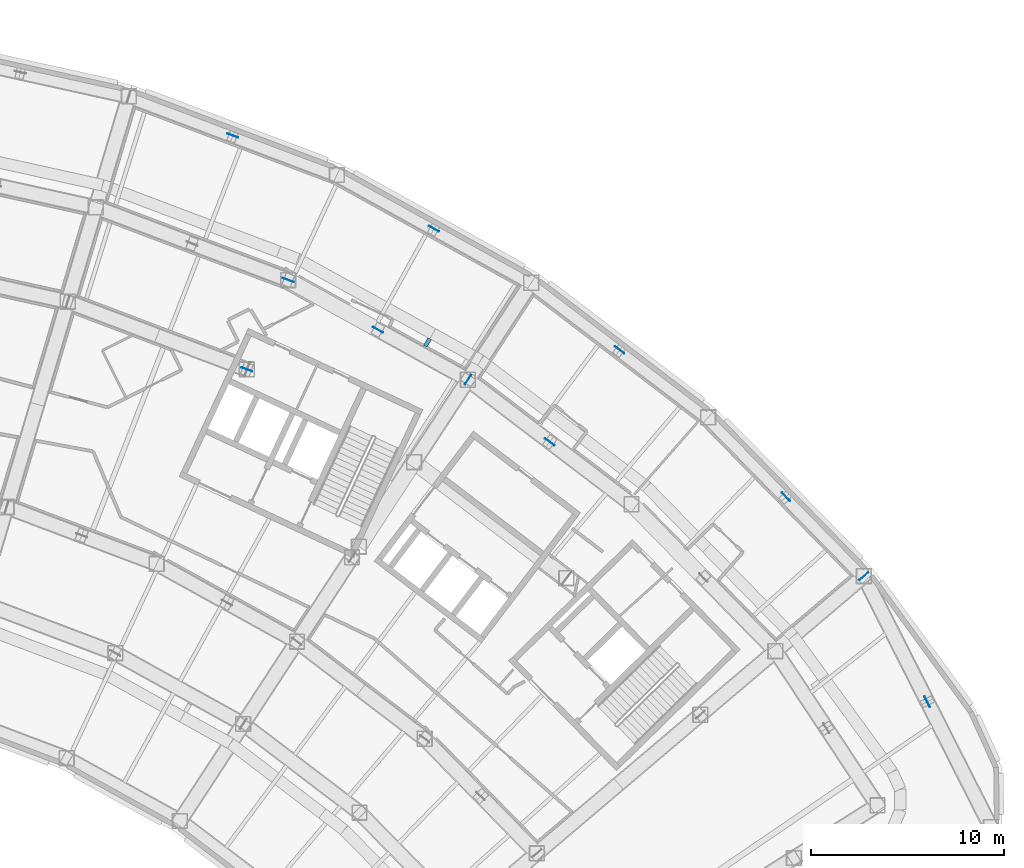
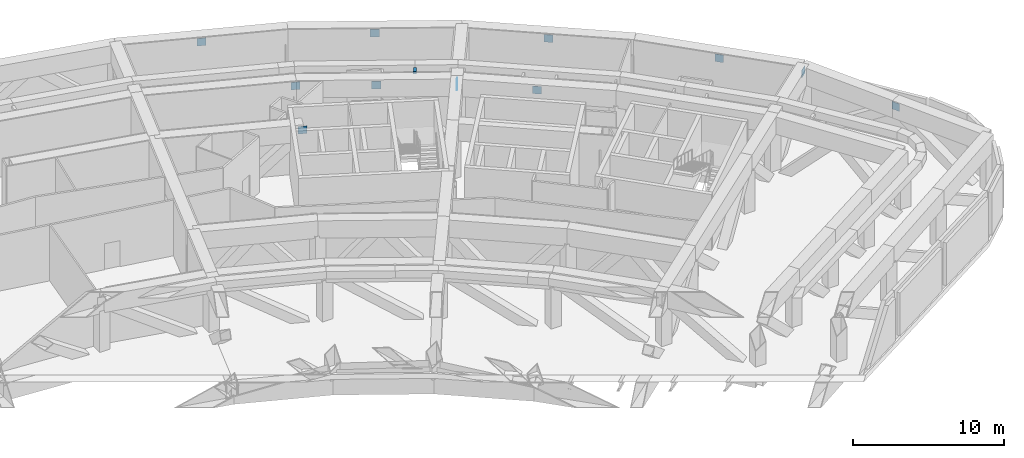
# One storey, part 26 of 30: 12 discrete accessories.
"""IFC4 building model written with IfcOpenShell, lengths in metres."""

import ifcopenshell
import ifcopenshell.guid

model = None  # the IFC model being written
_history = None  # IfcOwnerHistory: only IFC2X3 demands one
_inside = {}  # id of a spatial element -> (the spatial element, [elements in it])
_under = {}  # id of a project, library or spatial element -> (it, [spatial elements below it])
_declared = {}  # id of a project -> (the project, [libraries it declares])
_typed = {}  # id of a type object -> (the type object, [elements of that type])
_made_of = {}  # id of a material, layer set ... -> (it, [elements and type objects made of it])


def new_model(schema):
    """Start an empty IFC model of exactly this schema.

    Asked for "IFC4X3", IfcOpenShell would pick the latest addendum, in which some entities
    have other attributes; the version numbers below select the first issue.
    IFC2X3 requires an IfcOwnerHistory on every rooted entity: one is made here for all.
    """
    global model, _history
    if schema == "IFC4X3":
        model = ifcopenshell.file(schema_version=(4, 3, 0, 0))
    else:
        model = ifcopenshell.file(schema=schema)
    _inside.clear()
    _under.clear()
    _declared.clear()
    _typed.clear()
    _made_of.clear()
    _history = None
    if model.schema == "IFC2X3":
        org = make("IfcOrganization", Name="unknown")
        user = make(
            "IfcPersonAndOrganization",
            ThePerson=make("IfcPerson", FamilyName="unknown"),
            TheOrganization=org,
        )
        app = make(
            "IfcApplication",
            ApplicationDeveloper=org,
            Version="unknown",
            ApplicationFullName="unknown",
            ApplicationIdentifier="unknown",
        )
        _history = make(
            "IfcOwnerHistory",
            OwningUser=user,
            OwningApplication=app,
            ChangeAction="ADDED",
            CreationDate=0,
        )
    return model


def make(cls, **values):
    """One entity of the class cls with the attributes given. An attribute that is None is left unset."""
    return model.create_entity(
        cls, **{name: value for name, value in values.items() if value is not None}
    )


def rooted(cls, **values):
    """An entity with a GlobalId (a new one), such as an element, a storey or a relation."""
    return make(cls, GlobalId=ifcopenshell.guid.new(), OwnerHistory=_history, **values)


def si_unit(unit_type, name, prefix=None):
    """IfcSIUnit, for example si_unit("LENGTHUNIT", "METRE", prefix="MILLI")."""
    return make("IfcSIUnit", UnitType=unit_type, Prefix=prefix, Name=name)


def assignment(units):
    """IfcUnitAssignment: the units of a project."""
    return None if units is None else make("IfcUnitAssignment", Units=units)


def point(xyz):
    """IfcCartesianPoint."""
    return None if xyz is None else make("IfcCartesianPoint", Coordinates=xyz)


def direction(xyz):
    """IfcDirection."""
    return None if xyz is None else make("IfcDirection", DirectionRatios=xyz)


def frame(location, z_axis=None, x_axis=None):
    """IfcAxis2Placement3D, a coordinate frame: its origin and axes. An axis left out is left unset."""
    return make(
        "IfcAxis2Placement3D",
        Location=point(location),
        Axis=direction(z_axis),
        RefDirection=direction(x_axis),
    )


def frame_2d(location, x_axis=None):
    """IfcAxis2Placement2D, a coordinate frame in the plane: its origin and x axis."""
    return make(
        "IfcAxis2Placement2D", Location=point(location), RefDirection=direction(x_axis)
    )


def origin():
    """The frame at (0, 0, 0) with its axes left unset."""
    return frame((0.0, 0.0, 0.0))


def origin_2d():
    """The frame at (0, 0) in the plane with its x axis left unset."""
    return frame_2d((0.0, 0.0))


def place(relative_to, where):
    """IfcLocalPlacement: puts the frame where relative to a parent placement (None: the world)."""
    return make(
        "IfcLocalPlacement", PlacementRelTo=relative_to, RelativePlacement=where
    )


def context(
    kind, dimensions, precision=None, world=None, true_north=None, identifier=None
):
    """IfcGeometricRepresentationContext, for example the 3D "Model" context."""
    return make(
        "IfcGeometricRepresentationContext",
        ContextIdentifier=identifier,
        ContextType=kind,
        CoordinateSpaceDimension=dimensions,
        Precision=precision,
        WorldCoordinateSystem=world,
        TrueNorth=true_north,
    )


def subcontext(parent, identifier, kind, view, scale=None):
    """IfcGeometricRepresentationSubContext, for example "Body" below "Model"."""
    return make(
        "IfcGeometricRepresentationSubContext",
        ContextIdentifier=identifier,
        ContextType=kind,
        ParentContext=parent,
        TargetScale=scale,
        TargetView=view,
    )


def project(units=None, contexts=None):
    """IfcProject with its units and contexts."""
    return rooted(
        "IfcProject",
        Name="project",
        RepresentationContexts=contexts,
        UnitsInContext=assignment(units),
    )


def spatial(cls, under=None, at=None, **own):
    """A site, building, storey or space (cls), placed at a placement, below another one or the project."""
    s = rooted(cls, ObjectPlacement=at, **own)
    if under is not None:
        _under.setdefault(under.id(), (under, []))[1].append(s)
    return s


def profile(cls, at=None, kind="AREA", **sizes):
    """A parametric profile (cls). Its sizes go by their IFC names, for example OverallWidth=200.0."""
    return make(cls, ProfileType=kind, Position=at, **sizes)


def rectangle(**sizes):
    """IfcRectangleProfileDef."""
    return profile("IfcRectangleProfileDef", **sizes)


def extrude(swept, where, along, depth):
    """IfcExtrudedAreaSolid: the profile swept, set in the frame where, extruded along a direction by depth."""
    return make(
        "IfcExtrudedAreaSolid",
        SweptArea=swept,
        Position=where,
        ExtrudedDirection=direction(along),
        Depth=depth,
    )


def shape(context_of_items, identifier, shape_type, items):
    """IfcShapeRepresentation: the items that make up one representation, for example the "Body"."""
    return make(
        "IfcShapeRepresentation",
        ContextOfItems=context_of_items,
        RepresentationIdentifier=identifier,
        RepresentationType=shape_type,
        Items=items,
    )


def material(Name=None, Category=None):
    """IfcMaterial."""
    return make("IfcMaterial", Name=Name, Category=Category)


def made_of(thing, what):
    """Note that an element or type object is made of a material, layer set ...; save() writes the relation."""
    if what is not None:
        _made_of.setdefault(what.id(), (what, []))[1].append(thing)
    return thing


def type_object(cls, material=None, **own):
    """A type object (cls), such as IfcWallType, which elements share."""
    return made_of(rooted(cls, **own), material)


def element(
    cls,
    number,
    at=None,
    inside=None,
    cuts=None,
    type_object=None,
    material=None,
    context=None,
    identifier="Body",
    shape_type=None,
    held_by="IfcProductDefinitionShape",
    body=None,
    shapes=None,
    **own,
):
    """One element of the class cls, such as IfcWall. Its Tag is "e" and its number.

    at: its placement. inside: the storey or other place that contains it. cuts: it is an
    opening in that element (IfcRelVoidsElement). A single representation is given by context,
    identifier, shape_type and body (its items); several are given by shapes. held_by: the class
    of the entity that holds the representations. save() writes the other relations.
    """
    e = rooted(cls, Tag="e%d" % number, ObjectPlacement=at, **own)
    if body is not None:
        shapes = [shape(context, identifier, shape_type, body)]
    if shapes is not None:
        e.Representation = make(held_by, Representations=shapes)
    if inside is not None:
        _inside.setdefault(inside.id(), (inside, []))[1].append(e)
    if cuts is not None:
        rooted(
            "IfcRelVoidsElement", RelatingBuildingElement=cuts, RelatedOpeningElement=e
        )
    if type_object is not None:
        _typed.setdefault(type_object.id(), (type_object, []))[1].append(e)
    return made_of(e, material)


def aggregate(whole, parts):
    """IfcRelAggregates: a whole, such as a stair, and the parts it consists of."""
    return rooted("IfcRelAggregates", RelatingObject=whole, RelatedObjects=parts)


def save(model, path):
    """Write the relations noted so far, then the file.

    IfcRelAggregates (storeys below a building ...), IfcRelContainedInSpatialStructure (elements
    in a storey), IfcRelDefinesByType, IfcRelAssociatesMaterial and IfcRelDeclares: one each for
    every whole, place, type object, material and project.
    """
    for whole, parts in _under.values():
        aggregate(whole, parts)
    for where, things in _inside.values():
        rooted(
            "IfcRelContainedInSpatialStructure",
            RelatedElements=things,
            RelatingStructure=where,
        )
    for kind, things in _typed.values():
        rooted("IfcRelDefinesByType", RelatedObjects=things, RelatingType=kind)
    for what, things in _made_of.values():
        rooted("IfcRelAssociatesMaterial", RelatedObjects=things, RelatingMaterial=what)
    for by, libraries in _declared.values():
        rooted("IfcRelDeclares", RelatingContext=by, RelatedDefinitions=libraries)
    model.write(path)


model = new_model("IFC4")

# Units and contexts
model_context = context("Model", 3, precision=1e-05, world=origin(), true_north=direction((0.0, 1.0)))
body_context = subcontext(model_context, "Body", "Model", "MODEL_VIEW")
ifc_project = project(units=[si_unit("LENGTHUNIT", "METRE"), si_unit("AREAUNIT", "SQUARE_METRE"), si_unit("VOLUMEUNIT", "CUBIC_METRE"), si_unit("PLANEANGLEUNIT", "RADIAN"), si_unit("MASSUNIT", "GRAM", prefix="KILO")], contexts=[model_context])

# Site, building, storey
site_placement = place(None, origin())
site = spatial("IfcSite", under=ifc_project, at=site_placement, CompositionType="ELEMENT")
building_placement = place(site_placement, origin())
building = spatial("IfcBuilding", under=site, at=building_placement, Name="Tuul Gate Civic Tower", CompositionType="ELEMENT")
storey_placement = place(building_placement, frame((0.0, 0.0, 26.699951171875)))
storey = spatial("IfcBuildingStorey", under=building, at=storey_placement, Name="Plant and refuge floor 1", CompositionType="ELEMENT", Elevation=26.699951171875)

# Discrete accessories
ifc_material_1 = material(Name="Steel S355", Category="steel")
discrete_accessory_type_1 = type_object("IfcDiscreteAccessoryType", Name="Gusset plate", PredefinedType="BRACKET", material=ifc_material_1)
for number, where, z_axis, x_axis, name in (
    (1, (40.402099609375, 1.875732421875, 3.50341796875), (0.0, 0.0, 1.0), (0.546705342807, 0.837325067191, 0.0), "Gusset plate"),
    (2, (64.261474609375, -14.847412109375, 3.502685546875), (0.0, 0.0, 1.0), (0.45166929929, -0.892185431443, 0.0), "Gusset plate"),
    (3, (56.91943359375, -4.205078125, 3.503173828125), (0.0, 0.0, 1.0), (0.700013398821, -0.714129709136, 0.0), "Gusset plate"),
    (4, (48.284423828125, 3.41552734375, 3.503173828125), (0.0, 0.0, 1.0), (0.795624520184, -0.605790081532, 0.0), "Gusset plate"),
    (5, (38.6416015625, 9.7119140625, 3.503173828125), (0.0, 0.0, 1.0), (0.874618497139, -0.484811803139, 0.0), "Gusset plate"),
    (6, (28.19189453125, 14.552978515625, 3.503173828125), (0.0, 0.0, 1.0), (0.935357515415, -0.353703715497, 0.0), "Gusset plate"),
    (7, (44.64990234375, -1.35791015625, 3.50341796875), (0.0, 0.0, 1.0), (0.795663839612, -0.605738437227, 0.0), "Gusset plate"),
    (8, (60.9638671875, -8.325439453125, 3.503173828125), (0.0, 0.0, 1.0), (-0.762835003285, -0.646593193409, 0.0), "Gusset plate"),
    (9, (31.0673828125, 7.05078125, 3.50341796875), (0.0, 0.0, 1.0), (-0.935344038434, 0.353739352865, 0.0), "Gusset plate"),
    (10, (35.729736328125, 4.4658203125, 3.50341796875), (0.0, 0.0, 1.0), (0.87462518169, -0.484799743765, 0.0), "Gusset plate"),
    (11, (28.917236328125, 2.41162109375, 3.50341796875), (0.0, 0.0, 1.0), (-0.935366342935, 0.35368037054, 0.0), "Gusset plate"),
):
    element("IfcDiscreteAccessory", number, at=place(storey_placement, frame(where, z_axis=z_axis, x_axis=x_axis)), inside=storey, type_object=discrete_accessory_type_1, Name=name, PredefinedType="BRACKET", context=body_context, shape_type="SweptSolid", body=[
        extrude(rectangle(XDim=0.60009765625, YDim=0.030029296875, at=origin_2d()), origin(), (0.0, 0.0, 1.0), 0.60009765625),
    ])
ifc_material_2 = material(Name="Stainless steel", Category="steel")
discrete_accessory_type_2 = type_object("IfcDiscreteAccessoryType", Name="Screen bracket", PredefinedType="BRACKET", material=ifc_material_2)
discrete_accessory_placement = place(storey_placement, frame((38.298828125, 3.81396484375, 4.35009765625), z_axis=(0.0, 0.0, 1.0), x_axis=(0.514592185597, 0.857435060236, 0.0)))
element("IfcDiscreteAccessory", 12, at=discrete_accessory_placement, inside=storey, type_object=discrete_accessory_type_2, Name="Screen bracket 4", PredefinedType="BRACKET", context=body_context, shape_type="SweptSolid", body=[
    extrude(rectangle(XDim=0.4501953125, YDim=0.199951171875, at=origin_2d()), origin(), (0.0, 0.0, 1.0), 0.199951171875),
])

save(model, "model.ifc")
